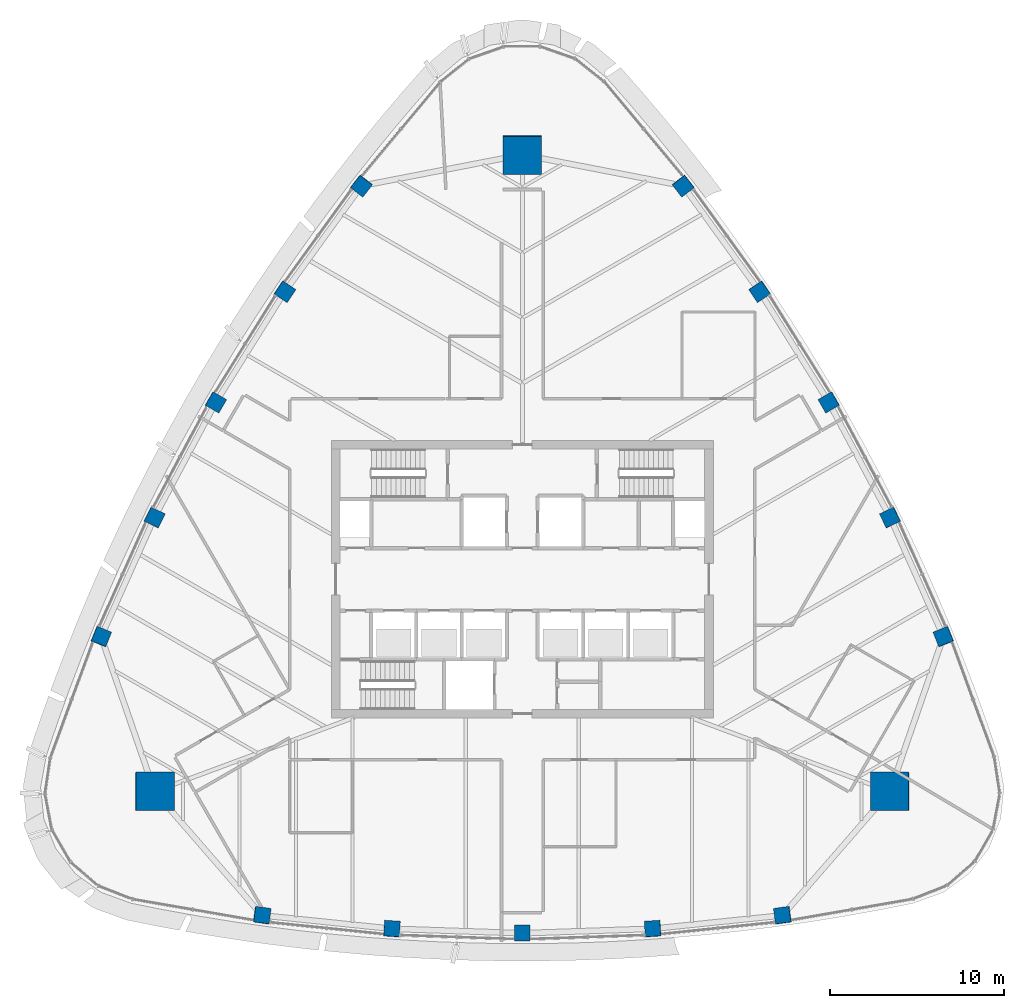
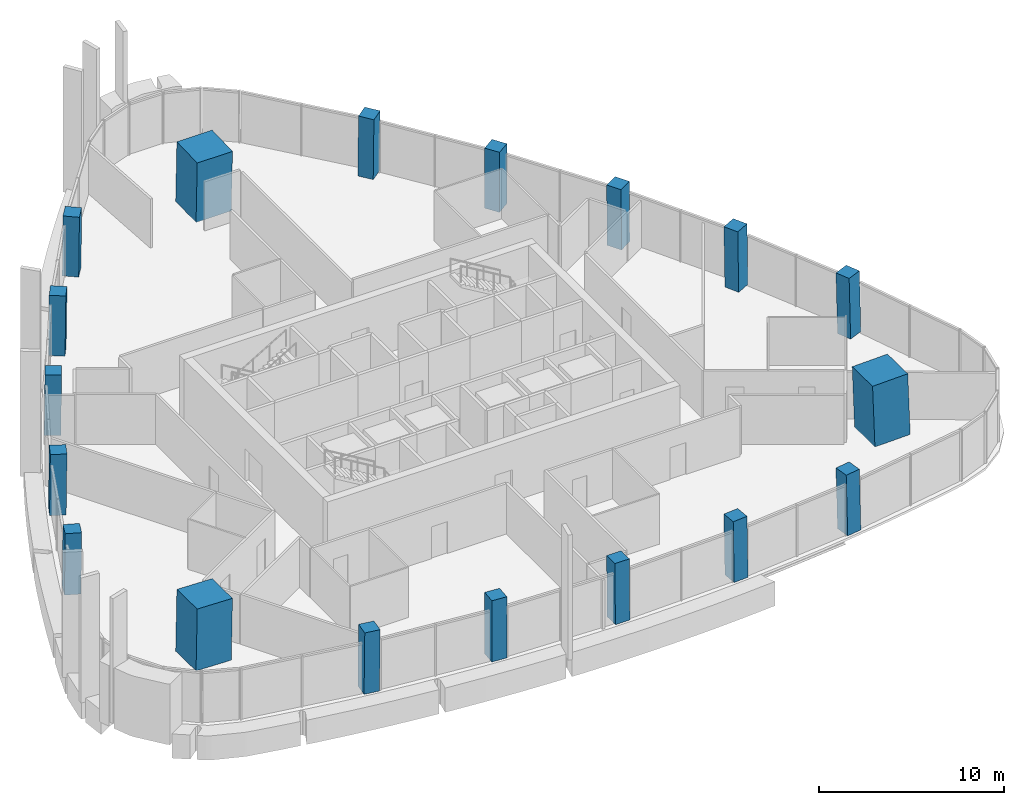
# One storey, part 1 of 16: 18 columns.
"""IFC4 building model written with IfcOpenShell, lengths in metres."""

from ifc_helpers import new_model, si_unit, direction, frame, origin, origin_2d, place, context, subcontext, project, spatial, rectangle, extrude, material, material_profile, profile_set, type_object, element, save


model = new_model("IFC4")

# Units and contexts
model_context = context("Model", 3, precision=1e-05, world=origin(), true_north=direction((0.0, 1.0)))
body_context = subcontext(model_context, "Body", "Model", "MODEL_VIEW")
ifc_project = project(units=[si_unit("LENGTHUNIT", "METRE"), si_unit("AREAUNIT", "SQUARE_METRE"), si_unit("VOLUMEUNIT", "CUBIC_METRE"), si_unit("PLANEANGLEUNIT", "RADIAN"), si_unit("MASSUNIT", "GRAM", prefix="KILO")], contexts=[model_context])

# Site, building, storey
site_placement = place(None, origin())
site = spatial("IfcSite", under=ifc_project, at=site_placement, CompositionType="ELEMENT")
building_placement = place(site_placement, origin())
building = spatial("IfcBuilding", under=site, at=building_placement, Name="Sierra Prisma Convention Tower", CompositionType="ELEMENT")
storey_placement = place(building_placement, frame((0.0, 0.0, 271.0)))
storey = spatial("IfcBuildingStorey", under=building, at=storey_placement, Name="L61", CompositionType="ELEMENT", Elevation=271.0)

# Columns
ifc_material_1 = material(Name="Concrete C50/60", Category="concrete")
ifc_material_profile_1 = material_profile(ifc_material_1, rectangle(XDim=2.199951171875, YDim=2.199951171875, at=origin_2d()), Name="Mega column RC 2200 C50/60")
ifc_profile_set_1 = profile_set([ifc_material_profile_1], Name="Concrete C50/60")
column_type_1 = type_object("IfcColumnType", Name="Mega column RC 2200 C50/60", PredefinedType="COLUMN", material=ifc_profile_set_1)
for number, where, z_axis, x_axis, name in (
    (1, (21.177978515625, -12.22705078125, 0.0), (-0.027817676907, 0.016043967164, 0.999484250986), (0.999613013546, 0.000446478676, 0.027814093645), "Mega column SE L61"),
    (2, (0.0, 24.4541015625, 0.0), (0.0, -0.032087959942, 0.999485048826), (1.0, 0.0, 0.0), "Mega column N L61"),
    (3, (-21.177978515625, -12.22705078125, 0.0), (0.027817676907, 0.016043967164, 0.999484250986), (0.999613013546, -0.000446478676, -0.027814093645), "Mega column SW L61"),
):
    element("IfcColumn", number, at=place(storey_placement, frame(where, z_axis=z_axis, x_axis=x_axis)), inside=storey, type_object=column_type_1, Name=name, PredefinedType="COLUMN", context=body_context, shape_type="SweptSolid", body=[
        extrude(rectangle(XDim=2.199951171875, YDim=2.199951171875, at=origin_2d()), origin(), (0.0, 0.0, 1.0), 4.001953125),
    ])
ifc_material_2 = material(Name="Concrete C50/60", Category="concrete")
ifc_material_profile_2 = material_profile(ifc_material_2, rectangle(XDim=0.89990234375, YDim=0.89990234375, at=origin_2d()), Name="Perimeter column RC 900 C50/60")
ifc_profile_set_2 = profile_set([ifc_material_profile_2], Name="Concrete C50/60")
column_type_2 = type_object("IfcColumnType", Name="Perimeter column RC 900 C50/60", PredefinedType="COLUMN", material=ifc_profile_set_2)
column_1_placement = place(storey_placement, frame((-14.990966796875, -19.355712890625, 0.0), z_axis=(0.017452445502, 0.010434853779, 0.999793241612), x_axis=(-0.990449528145, 0.136960564895, 0.015859882108)))
element("IfcColumn", 4, at=column_1_placement, inside=storey, type_object=column_type_2, Name="Perimeter column S-1 L61", PredefinedType="COLUMN", context=body_context, shape_type="SweptSolid", body=[
    extrude(rectangle(XDim=0.89990234375, YDim=0.89990234375, at=origin_2d()), origin(), (0.0, 0.0, 1.0), 4.000732421875),
])
column_2_placement = place(storey_placement, frame((-7.51318359375, -20.1279296875, 0.0), z_axis=(0.008727150594, 0.011168311599, 0.999899547784), x_axis=(-0.997609340285, 0.068648045821, 0.007940401811)))
element("IfcColumn", 5, at=column_2_placement, inside=storey, type_object=column_type_2, Name="Perimeter column S-2 L61", PredefinedType="COLUMN", context=body_context, shape_type="SweptSolid", body=[
    extrude(rectangle(XDim=0.89990234375, YDim=0.89990234375, at=origin_2d()), origin(), (0.0, 0.0, 1.0), 4.00048828125),
])
column_3_placement = place(storey_placement, frame((0.0, -20.3857421875, 0.0), z_axis=(0.0, 0.01141283087, 0.999934871525), x_axis=(1.0, 0.0, 0.0)))
element("IfcColumn", 6, at=column_3_placement, inside=storey, type_object=column_type_2, Name="Perimeter column S-3 L61", PredefinedType="COLUMN", context=body_context, shape_type="SweptSolid", body=[
    extrude(rectangle(XDim=0.89990234375, YDim=0.89990234375, at=origin_2d()), origin(), (0.0, 0.0, 1.0), 4.000244140625),
])
column_4_placement = place(storey_placement, frame((7.51318359375, -20.1279296875, 0.0), z_axis=(-0.008727150594, 0.011168311599, 0.999899547784), x_axis=(0.997609340285, 0.068648045821, 0.007940401811)))
element("IfcColumn", 7, at=column_4_placement, inside=storey, type_object=column_type_2, Name="Perimeter column S-4 L61", PredefinedType="COLUMN", context=body_context, shape_type="SweptSolid", body=[
    extrude(rectangle(XDim=0.89990234375, YDim=0.89990234375, at=origin_2d()), origin(), (0.0, 0.0, 1.0), 4.00048828125),
])
for number, where, z_axis, x_axis, name in (
    (8, (14.990966796875, -19.355712890625, 0.0), (-0.017452445502, 0.010434853779, 0.999793241612), (0.990449528145, 0.136960564895, 0.015859882108), "Perimeter column S-5 L61"),
    (9, (24.2578125, -3.3046875, 0.0), (-0.017696547774, 0.0099466803, 0.999793926641), (-0.376779665918, 0.926166726623, -0.015883256809), "Perimeter column NE-1 L61"),
):
    element("IfcColumn", number, at=place(storey_placement, frame(where, z_axis=z_axis, x_axis=x_axis)), inside=storey, type_object=column_type_2, Name=name, PredefinedType="COLUMN", context=body_context, shape_type="SweptSolid", body=[
        extrude(rectangle(XDim=0.89990234375, YDim=0.89990234375, at=origin_2d()), origin(), (0.0, 0.0, 1.0), 4.000732421875),
    ])
column_5_placement = place(storey_placement, frame((21.187744140625, 3.557373046875, 0.0), z_axis=(-0.014036676147, 0.001952928855, 0.999899573853), x_axis=(-0.439409931321, 0.898251713248, -0.007922872255)))
element("IfcColumn", 10, at=column_5_placement, inside=storey, type_object=column_type_2, Name="Perimeter column NE-2 L61", PredefinedType="COLUMN", context=body_context, shape_type="SweptSolid", body=[
    extrude(rectangle(XDim=0.89990234375, YDim=0.89990234375, at=origin_2d()), origin(), (0.0, 0.0, 1.0), 4.00048828125),
])
column_6_placement = place(storey_placement, frame((17.654541015625, 10.19287109375, 0.0), z_axis=(-0.009887049298, -0.00573692984, 0.999934664812), x_axis=(-0.499975560967, 0.866039512843, 2.5126546e-05)))
element("IfcColumn", 11, at=column_6_placement, inside=storey, type_object=column_type_2, Name="Perimeter column NE-3 L61", PredefinedType="COLUMN", context=body_context, shape_type="SweptSolid", body=[
    extrude(rectangle(XDim=0.89990234375, YDim=0.89990234375, at=origin_2d()), origin(), (0.0, 0.0, 1.0), 4.000244140625),
])
column_7_placement = place(storey_placement, frame((13.6748046875, 16.570556640625, 0.0), z_axis=(-0.005309522349, -0.013182262383, 0.999899013366), x_axis=(-0.558186239097, 0.829677368481, 0.007974127734)))
element("IfcColumn", 12, at=column_7_placement, inside=storey, type_object=column_type_2, Name="Perimeter column NE-4 L61", PredefinedType="COLUMN", context=body_context, shape_type="SweptSolid", body=[
    extrude(rectangle(XDim=0.89990234375, YDim=0.89990234375, at=origin_2d()), origin(), (0.0, 0.0, 1.0), 4.00048828125),
])
for number, where, z_axis, x_axis, name in (
    (13, (9.266845703125, 22.660400390625, 0.0), (-0.000244090207, -0.020320509722, 0.999793487329), (-0.613761706368, 0.789331348465, 0.015893084242), "Perimeter column NE-5 L61"),
    (14, (-9.266845703125, 22.660400390625, 0.0), (0.000244090207, -0.020320509722, 0.999793487329), (0.613761706368, 0.789331348465, 0.015893084242), "Perimeter column NW-1 L61"),
):
    element("IfcColumn", number, at=place(storey_placement, frame(where, z_axis=z_axis, x_axis=x_axis)), inside=storey, type_object=column_type_2, Name=name, PredefinedType="COLUMN", context=body_context, shape_type="SweptSolid", body=[
        extrude(rectangle(XDim=0.89990234375, YDim=0.89990234375, at=origin_2d()), origin(), (0.0, 0.0, 1.0), 4.000732421875),
    ])
column_8_placement = place(storey_placement, frame((-13.6748046875, 16.570556640625, 0.0), z_axis=(0.005309522349, -0.013182262383, 0.999899013366), x_axis=(0.558186239097, 0.829677368481, 0.007974127734)))
element("IfcColumn", 15, at=column_8_placement, inside=storey, type_object=column_type_2, Name="Perimeter column NW-2 L61", PredefinedType="COLUMN", context=body_context, shape_type="SweptSolid", body=[
    extrude(rectangle(XDim=0.89990234375, YDim=0.89990234375, at=origin_2d()), origin(), (0.0, 0.0, 1.0), 4.00048828125),
])
column_9_placement = place(storey_placement, frame((-17.654541015625, 10.19287109375, 0.0), z_axis=(0.009887049298, -0.00573692984, 0.999934664812), x_axis=(0.499975560967, 0.866039512843, 2.5126546e-05)))
element("IfcColumn", 16, at=column_9_placement, inside=storey, type_object=column_type_2, Name="Perimeter column NW-3 L61", PredefinedType="COLUMN", context=body_context, shape_type="SweptSolid", body=[
    extrude(rectangle(XDim=0.89990234375, YDim=0.89990234375, at=origin_2d()), origin(), (0.0, 0.0, 1.0), 4.000244140625),
])
column_10_placement = place(storey_placement, frame((-21.187744140625, 3.557373046875, 0.0), z_axis=(0.014036676147, 0.001952928855, 0.999899573853), x_axis=(0.439409931321, 0.898251713248, -0.007922872255)))
element("IfcColumn", 17, at=column_10_placement, inside=storey, type_object=column_type_2, Name="Perimeter column NW-4 L61", PredefinedType="COLUMN", context=body_context, shape_type="SweptSolid", body=[
    extrude(rectangle(XDim=0.89990234375, YDim=0.89990234375, at=origin_2d()), origin(), (0.0, 0.0, 1.0), 4.00048828125),
])
column_11_placement = place(storey_placement, frame((-24.2578125, -3.3046875, 0.0), z_axis=(0.017696547774, 0.0099466803, 0.999793926641), x_axis=(0.376779665918, 0.926166726623, -0.015883256809)))
element("IfcColumn", 18, at=column_11_placement, inside=storey, type_object=column_type_2, Name="Perimeter column NW-5 L61", PredefinedType="COLUMN", context=body_context, shape_type="SweptSolid", body=[
    extrude(rectangle(XDim=0.89990234375, YDim=0.89990234375, at=origin_2d()), origin(), (0.0, 0.0, 1.0), 4.000732421875),
])

save(model, "model.ifc")
